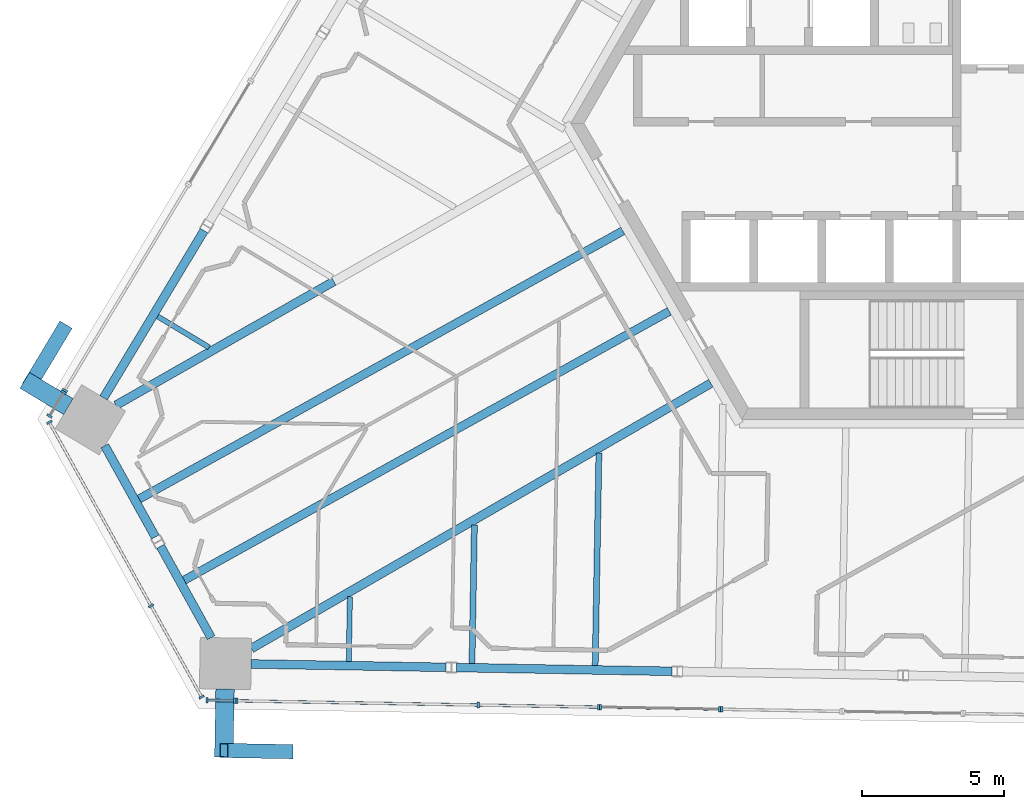
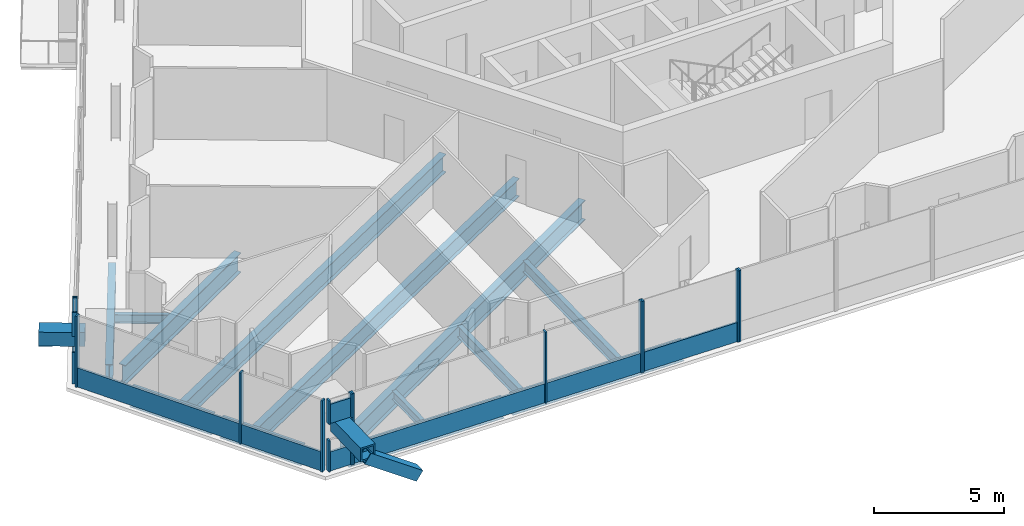
# One storey, part 4 of 24: 29 members, 13 beams, 9 elements without a shape of their own.
"""IFC4 building model written with IfcOpenShell, lengths in metres."""

from ifc_helpers import new_model, si_unit, direction, frame, origin, origin_2d, place, context, subcontext, project, spatial, rectangle, hollow_rectangle, i_section, extrude, source, transform, mapped, material, material_profile, profile_set, type_object, element, aggregate, save


model = new_model("IFC4")

# Units and contexts
model_context = context("Model", 3, precision=1e-05, world=origin(), true_north=direction((0.0, 1.0)))
body_context = subcontext(model_context, "Body", "Model", "MODEL_VIEW")
ifc_project = project(units=[si_unit("LENGTHUNIT", "METRE"), si_unit("AREAUNIT", "SQUARE_METRE"), si_unit("VOLUMEUNIT", "CUBIC_METRE"), si_unit("PLANEANGLEUNIT", "RADIAN"), si_unit("MASSUNIT", "GRAM", prefix="KILO")], contexts=[model_context])

# Site, building, storey
site_placement = place(None, origin())
site = spatial("IfcSite", under=ifc_project, at=site_placement, CompositionType="ELEMENT")
building_placement = place(site_placement, origin())
building = spatial("IfcBuilding", under=site, at=building_placement, Name="Triune Harvest Tower", CompositionType="ELEMENT")
storey_placement = place(building_placement, frame((0.0, 0.0, 212.300048828125)))
storey = spatial("IfcBuildingStorey", under=building, at=storey_placement, Name="L55", CompositionType="ELEMENT", Elevation=212.300048828125)

# Beams
ifc_material_1 = material(Name="Steel ASTM A992 Gr 50", Category="steel")
ifc_material_profile_1 = material_profile(ifc_material_1, i_section(OverallWidth=0.3046875, OverallDepth=0.914306640625, WebThickness=0.0166015625, FlangeThickness=0.02587890625, at=origin_2d()), Name="W36x160")
ifc_profile_set_1 = profile_set([ifc_material_profile_1], Name="Steel ASTM A992 Gr 50")
beam_type_1 = type_object("IfcBeamType", Name="SB-1 Spandrel beam W36x160", PredefinedType="SPANDREL", material=ifc_profile_set_1)
shared_shape_1 = source(origin(), body_context, "Body", "SweptSolid", [
    extrude(i_section(OverallWidth=0.3046875, OverallDepth=0.914306640625, WebThickness=0.0166015625, FlangeThickness=0.02587890625, at=origin_2d()), origin(), (0.0, 0.0, 1.0), 6.841796875),
])
for number, where, z_axis, x_axis, name in (
    (1, (-24.86865234375, -3.77001953125, -0.6171875), (-0.515057137128, -0.857155846678, 0.0), (0.857155846678, -0.515057137128, 0.0), "beam/L55/SB14"),
    (2, (-23.21630859375, -18.97265625, -0.6171875), (0.999847751763, -0.01744916312, 0.0), (0.01744916312, 0.999847751763, 0.0), "beam/L55/SB17"),
):
    element("IfcBeam", number, at=place(storey_placement, frame(where, z_axis=z_axis, x_axis=x_axis)), inside=storey, type_object=beam_type_1, Name=name, PredefinedType="SPANDREL", context=body_context, shape_type="MappedRepresentation", body=[
        mapped(shared_shape_1, transform((0.0, 0.0, 0.0), scale=1.0)),
    ])
shared_shape_2 = source(origin(), body_context, "Body", "SweptSolid", [
    extrude(i_section(OverallWidth=0.3046875, OverallDepth=0.914306640625, WebThickness=0.0166015625, FlangeThickness=0.02587890625, at=origin_2d()), origin(), (0.0, 0.0, 1.0), 7.556396484375),
])
beam_1_placement = place(storey_placement, frame((-16.0048828125, -19.098388671875, -0.6171875), z_axis=(0.99984722371, -0.017479394688, 0.0), x_axis=(0.017479394688, 0.99984722371, 0.0)))
element("IfcBeam", 3, at=beam_1_placement, inside=storey, type_object=beam_type_1, Name="beam/L55/SB18", PredefinedType="SPANDREL", context=body_context, shape_type="MappedRepresentation", body=[
    mapped(shared_shape_2, transform((0.0, 0.0, 0.0), scale=1.0)),
])
shared_shape_3 = source(origin(), body_context, "Body", "SweptSolid", [
    extrude(i_section(OverallWidth=0.3046875, OverallDepth=0.914306640625, WebThickness=0.0166015625, FlangeThickness=0.02587890625, at=origin_2d()), origin(), (0.0, 0.0, 1.0), 3.66357421875),
])
beam_2_placement = place(storey_placement, frame((-26.396240234375, -14.84375, -0.6171875), z_axis=(0.484794006312, -0.874628361903, 0.0), x_axis=(0.874628361903, 0.484794006312, 0.0)))
element("IfcBeam", 4, at=beam_2_placement, inside=storey, type_object=beam_type_1, Name="beam/L55/SB16", PredefinedType="SPANDREL", context=body_context, shape_type="MappedRepresentation", body=[
    mapped(shared_shape_3, transform((0.0, 0.0, 0.0), scale=1.0)),
])
shared_shape_4 = source(origin(), body_context, "Body", "SweptSolid", [
    extrude(i_section(OverallWidth=0.3046875, OverallDepth=0.914306640625, WebThickness=0.0166015625, FlangeThickness=0.02587890625, at=origin_2d()), origin(), (0.0, 0.0, 1.0), 3.663818359375),
])
beam_3_placement = place(storey_placement, frame((-28.352294921875, -11.31494140625, -0.6171875), z_axis=(0.484844980499, -0.874600105697, 0.0), x_axis=(0.874600105697, 0.484844980499, 0.0)))
element("IfcBeam", 5, at=beam_3_placement, inside=storey, type_object=beam_type_1, Name="beam/L55/SB15", PredefinedType="SPANDREL", context=body_context, shape_type="MappedRepresentation", body=[
    mapped(shared_shape_4, transform((0.0, 0.0, 0.0), scale=1.0)),
])
ifc_material_2 = material(Name="Steel ASTM A992 Gr 50", Category="steel")
ifc_material_profile_2 = material_profile(ifc_material_2, i_section(OverallWidth=0.307373046875, OverallDepth=0.922119140625, WebThickness=0.018310546875, FlangeThickness=0.030029296875, at=origin_2d()), Name="W36x182")
ifc_profile_set_2 = profile_set([ifc_material_profile_2], Name="Steel ASTM A992 Gr 50")
beam_type_2 = type_object("IfcBeamType", Name="HG-2 Hip girder W36x182", PredefinedType="BEAM", material=ifc_profile_set_2)
shared_shape_5 = source(origin(), body_context, "Body", "SweptSolid", [
    extrude(i_section(OverallWidth=0.307373046875, OverallDepth=0.922119140625, WebThickness=0.018310546875, FlangeThickness=0.030029296875, at=origin_2d()), origin(), (0.0, 0.0, 1.0), 8.79150390625),
])
beam_4_placement = place(storey_placement, frame((-27.958251953125, -9.8955078125, -0.62109375), z_axis=(0.869275144509, 0.494328557883, 0.0), x_axis=(-0.494328557883, 0.869275144509, 0.0)))
element("IfcBeam", 6, at=beam_4_placement, inside=storey, type_object=beam_type_2, Name="beam/L55/HG5", PredefinedType="BEAM", context=body_context, shape_type="MappedRepresentation", body=[
    mapped(shared_shape_5, transform((0.0, 0.0, 0.0), scale=1.0)),
])
shared_shape_6 = source(origin(), body_context, "Body", "SweptSolid", [
    extrude(i_section(OverallWidth=0.307373046875, OverallDepth=0.922119140625, WebThickness=0.018310546875, FlangeThickness=0.030029296875, at=origin_2d()), origin(), (0.0, 0.0, 1.0), 18.616455078125),
])
beam_5_placement = place(storey_placement, frame((-23.206787109375, -18.431884765625, -0.62109375), z_axis=(0.866022449336, 0.50000511722, 0.0), x_axis=(-0.50000511722, 0.866022449336, 0.0)))
element("IfcBeam", 7, at=beam_5_placement, inside=storey, type_object=beam_type_2, Name="beam/L55/HG7", PredefinedType="BEAM", context=body_context, shape_type="MappedRepresentation", body=[
    mapped(shared_shape_6, transform((0.0, 0.0, 0.0), scale=1.0)),
])
ifc_material_3 = material(Name="Steel ASTM A992 Gr 50", Category="steel")
ifc_material_profile_3 = material_profile(ifc_material_3, i_section(OverallWidth=0.2919921875, OverallDepth=0.8408203125, WebThickness=0.0146484375, FlangeThickness=0.021728515625, at=origin_2d()), Name="W33x130")
ifc_profile_set_3 = profile_set([ifc_material_profile_3], Name="Steel ASTM A992 Gr 50")
beam_type_3 = type_object("IfcBeamType", Name="JT-6 Floor joist W33x130", PredefinedType="JOIST", material=ifc_profile_set_3)
shared_shape_7 = source(origin(), body_context, "Body", "SweptSolid", [
    extrude(i_section(OverallWidth=0.2919921875, OverallDepth=0.8408203125, WebThickness=0.0146484375, FlangeThickness=0.021728515625, at=origin_2d()), origin(), (0.0, 0.0, 1.0), 19.403564453125),
])
beam_6_placement = place(storey_placement, frame((-27.142822265625, -13.1826171875, -0.58056640625), z_axis=(0.874615069694, 0.484817986325, 0.0), x_axis=(-0.484817986325, 0.874615069694, 0.0)))
element("IfcBeam", 8, at=beam_6_placement, inside=storey, type_object=beam_type_3, Name="beam/L55/JT23", PredefinedType="JOIST", context=body_context, shape_type="MappedRepresentation", body=[
    mapped(shared_shape_7, transform((0.0, 0.0, 0.0), scale=1.0)),
])
shared_shape_8 = source(origin(), body_context, "Body", "SweptSolid", [
    extrude(i_section(OverallWidth=0.2919921875, OverallDepth=0.8408203125, WebThickness=0.0146484375, FlangeThickness=0.021728515625, at=origin_2d()), origin(), (0.0, 0.0, 1.0), 19.460205078125),
])
beam_7_placement = place(storey_placement, frame((-25.562744140625, -16.03271484375, -0.58056640625), z_axis=(0.874617874633, 0.484812926161, 0.0), x_axis=(-0.484812926161, 0.874617874633, 0.0)))
element("IfcBeam", 9, at=beam_7_placement, inside=storey, type_object=beam_type_3, Name="beam/L55/JT24", PredefinedType="JOIST", context=body_context, shape_type="MappedRepresentation", body=[
    mapped(shared_shape_8, transform((0.0, 0.0, 0.0), scale=1.0)),
])
ifc_material_4 = material(Name="Steel ASTM A992 Gr 50", Category="steel")
ifc_material_profile_4 = material_profile(ifc_material_4, i_section(OverallWidth=0.2099609375, OverallDepth=0.535888671875, WebThickness=0.010986328125, FlangeThickness=0.017333984375, at=origin_2d()), Name="W21x68")
ifc_profile_set_4 = profile_set([ifc_material_profile_4], Name="Steel ASTM A992 Gr 50")
beam_type_4 = type_object("IfcBeamType", Name="JT-2 Floor joist W21x68", PredefinedType="JOIST", material=ifc_profile_set_4)
shared_shape_9 = source(origin(), body_context, "Body", "SweptSolid", [
    extrude(i_section(OverallWidth=0.2099609375, OverallDepth=0.535888671875, WebThickness=0.010986328125, FlangeThickness=0.017333984375, at=origin_2d()), origin(), (0.0, 0.0, 1.0), 4.864501953125),
])
beam_8_placement = place(storey_placement, frame((-15.467041015625, -18.95556640625, -0.427978515625), z_axis=(0.017465461228, 0.999847467199, 0.0), x_axis=(-0.999847467199, 0.017465461228, 0.0)))
element("IfcBeam", 10, at=beam_8_placement, inside=storey, type_object=beam_type_4, Name="beam/L55/JT26", PredefinedType="JOIST", context=body_context, shape_type="MappedRepresentation", body=[
    mapped(shared_shape_9, transform((0.0, 0.0, 0.0), scale=1.0)),
])
ifc_material_5 = material(Name="Steel ASTM A992 Gr 50", Category="steel")
ifc_material_profile_5 = material_profile(ifc_material_5, i_section(OverallWidth=0.180908203125, OverallDepth=0.41650390625, WebThickness=0.010986328125, FlangeThickness=0.01806640625, at=origin_2d()), Name="W16x57")
ifc_profile_set_5 = profile_set([ifc_material_profile_5], Name="Steel ASTM A992 Gr 50")
beam_type_5 = type_object("IfcBeamType", Name="JT-1 Floor joist W16x57", PredefinedType="JOIST", material=ifc_profile_set_5)
shared_shape_10 = source(origin(), body_context, "Body", "SweptSolid", [
    extrude(i_section(OverallWidth=0.180908203125, OverallDepth=0.41650390625, WebThickness=0.010986328125, FlangeThickness=0.01806640625, at=origin_2d()), origin(), (0.0, 0.0, 1.0), 2.104736328125),
])
beam_9_placement = place(storey_placement, frame((-26.498291015625, -6.7783203125, -0.368408203125), z_axis=(0.857185733632, -0.51500739612, 0.0), x_axis=(0.51500739612, 0.857185733632, 0.0)))
element("IfcBeam", 11, at=beam_9_placement, inside=storey, type_object=beam_type_5, Name="beam/L55/JT22", PredefinedType="JOIST", context=body_context, shape_type="MappedRepresentation", body=[
    mapped(shared_shape_10, transform((0.0, 0.0, 0.0), scale=1.0)),
])
shared_shape_11 = source(origin(), body_context, "Body", "SweptSolid", [
    extrude(i_section(OverallWidth=0.180908203125, OverallDepth=0.41650390625, WebThickness=0.010986328125, FlangeThickness=0.01806640625, at=origin_2d()), origin(), (0.0, 0.0, 1.0), 2.26611328125),
])
beam_10_placement = place(storey_placement, frame((-19.790283203125, -18.8798828125, -0.368408203125), z_axis=(0.017452357155, 0.999847696017, 0.0), x_axis=(-0.999847696017, 0.017452357155, 0.0)))
element("IfcBeam", 12, at=beam_10_placement, inside=storey, type_object=beam_type_5, Name="beam/L55/JT25", PredefinedType="JOIST", context=body_context, shape_type="MappedRepresentation", body=[
    mapped(shared_shape_11, transform((0.0, 0.0, 0.0), scale=1.0)),
])
shared_shape_12 = source(origin(), body_context, "Body", "SweptSolid", [
    extrude(i_section(OverallWidth=0.2099609375, OverallDepth=0.535888671875, WebThickness=0.010986328125, FlangeThickness=0.017333984375, at=origin_2d()), origin(), (0.0, 0.0, 1.0), 7.462890625),
])
beam_11_placement = place(storey_placement, frame((-11.143798828125, -19.031005859375, -0.427978515625), z_axis=(0.017469440512, 0.99984739768, 0.0), x_axis=(-0.99984739768, 0.017469440512, 0.0)))
element("IfcBeam", 13, at=beam_11_placement, inside=storey, type_object=beam_type_4, Name="beam/L55/JT27", PredefinedType="JOIST", context=body_context, shape_type="MappedRepresentation", body=[
    mapped(shared_shape_12, transform((0.0, 0.0, 0.0), scale=1.0)),
])

# Members
ifc_material_6 = material(Name="Steel ASTM A572 Gr 50", Category="steel")
ifc_material_profile_6 = material_profile(ifc_material_6, hollow_rectangle(XDim=0.64990234375, YDim=0.64990234375, WallThickness=0.070068359375, at=origin_2d()), Name="Box 650x650x70")
ifc_profile_set_6 = profile_set([ifc_material_profile_6], Name="Steel ASTM A572 Gr 50")
member_type_1 = type_object("IfcMemberType", Name="BS-1 Brace stub Box 650x650x70", PredefinedType="STRUT", material=ifc_profile_set_6)
shared_shape_13 = source(origin(), body_context, "Body", "SweptSolid", [
    extrude(hollow_rectangle(XDim=0.64990234375, YDim=0.64990234375, WallThickness=0.070068359375, at=origin_2d()), origin(), (0.0, 0.0, 1.0), 1.787109375),
])
member_1_placement = place(storey_placement, frame((-29.62744140625, -9.942626953125, 1.849853515625), z_axis=(-0.857155208894, 0.515058198523, 0.0), x_axis=(-0.515058198523, -0.857155208894, 0.0)))
element("IfcMember", 14, at=member_1_placement, inside=storey, type_object=member_type_1, Name="brace/B5-F3/stub2", PredefinedType="STRUT", context=body_context, shape_type="MappedRepresentation", body=[
    mapped(shared_shape_13, transform((0.0, 0.0, 0.0), scale=1.0)),
])
ifc_material_7 = material(Name="Steel ASTM A572 Gr 50", Category="steel")
ifc_material_profile_7 = material_profile(ifc_material_7, hollow_rectangle(XDim=0.5, YDim=0.5, WallThickness=0.030029296875, at=origin_2d()), Name="Box 500x500x30")
ifc_profile_set_7 = profile_set([ifc_material_profile_7], Name="Steel ASTM A572 Gr 50")
member_type_2 = type_object("IfcMemberType", Name="BR-3 Brace Box 500x500x30", PredefinedType="BRACE", material=ifc_profile_set_7)
shared_shape_14 = source(origin(), body_context, "Body", "SweptSolid", [
    extrude(hollow_rectangle(XDim=0.5, YDim=0.5, WallThickness=0.030029296875, at=origin_2d()), origin(), (0.0, 0.0, 1.0), 2.77734375),
])
member_2_placement = place(storey_placement, frame((-29.78369140625, -7.189208984375, 0.0), z_axis=(-0.422823649157, -0.703592617018, 0.571119594298), x_axis=(0.857133656581, -0.515094063988, 0.0)))
element("IfcMember", 15, at=member_2_placement, inside=storey, type_object=member_type_2, Name="brace/B5-F3/d1/10", PredefinedType="BRACE", context=body_context, shape_type="MappedRepresentation", body=[
    mapped(shared_shape_14, transform((0.0, 0.0, 0.0), scale=1.0)),
])
shared_shape_15 = source(origin(), body_context, "Body", "SweptSolid", [
    extrude(hollow_rectangle(XDim=0.64990234375, YDim=0.64990234375, WallThickness=0.070068359375, at=origin_2d()), origin(), (0.0, 0.0, 1.0), 2.386962890625),
])
member_3_placement = place(storey_placement, frame((-24.1318359375, -19.856689453125, 1.849853515625), z_axis=(-0.017489141378, -0.999847053271, 0.0), x_axis=(0.999847053271, -0.017489141378, 0.0)))
element("IfcMember", 16, at=member_3_placement, inside=storey, type_object=member_type_1, Name="brace/B5-F5/stub4", PredefinedType="STRUT", context=body_context, shape_type="MappedRepresentation", body=[
    mapped(shared_shape_15, transform((0.0, 0.0, 0.0), scale=1.0)),
])
shared_shape_16 = source(origin(), body_context, "Body", "SweptSolid", [
    extrude(hollow_rectangle(XDim=0.5, YDim=0.5, WallThickness=0.030029296875, at=origin_2d()), origin(), (0.0, 0.0, 1.0), 2.777099609375),
])
member_4_placement = place(storey_placement, frame((-21.89013671875, -22.04833984375, 0.0), z_axis=(-0.820722360093, 0.014329235721, 0.57114751216), x_axis=(-0.017456636919, -0.999847621304, 0.0)))
element("IfcMember", 17, at=member_4_placement, inside=storey, type_object=member_type_2, Name="brace/B5-F5/d2/10", PredefinedType="BRACE", context=body_context, shape_type="MappedRepresentation", body=[
    mapped(shared_shape_16, transform((0.0, 0.0, 0.0), scale=1.0)),
])

# Curtain wall, members
ifc_material_8 = material(Name="Aluminium bronze anodised", Category="aluminium")
curtain_wall_type_1 = type_object("IfcCurtainWallType", Name="CW-6 Balcony window wall", PredefinedType="NOTDEFINED", material=ifc_material_8)
curtain_wall_1_placement = place(storey_placement, origin())
curtain_wall_1 = element("IfcCurtainWall", 18, at=curtain_wall_1_placement, inside=storey, type_object=curtain_wall_type_1, Name="CW-6 B5-F3 L55 run 202")
ifc_material_9 = material(Name="Aluminium bronze anodised", Category="aluminium")
ifc_material_profile_8 = material_profile(ifc_material_9, rectangle(XDim=0.199951171875, YDim=0.074951171875, at=origin_2d()), Name="MU-6 mullion 75 x 200")
ifc_profile_set_8 = profile_set([ifc_material_profile_8], Name="Aluminium bronze anodised")
member_type_3 = type_object("IfcMemberType", Name="MU-6 mullion 75 x 200", PredefinedType="MULLION", material=ifc_profile_set_8)
shared_shape_17 = source(origin(), body_context, "Body", "SweptSolid", [
    extrude(rectangle(XDim=0.199951171875, YDim=0.074951171875, at=origin_2d()), origin(), (0.0, 0.0, 1.0), 1.114990234375),
])
member_5_placement = place(storey_placement, frame((-29.793212890625, -9.437744140625, 2.23486328125), z_axis=(0.0, 0.0, 1.0), x_axis=(0.857206165529, -0.514973387448, 0.0)))
member_5 = element("IfcMember", 19, at=member_5_placement, type_object=member_type_3, Name="CW-6 mullion B5-F3 202.1", PredefinedType="MULLION", context=body_context, shape_type="MappedRepresentation", body=[
    mapped(shared_shape_17, transform((0.0, 0.0, 0.0), scale=1.0)),
])
member_6_placement = place(storey_placement, frame((-30.293701171875, -10.2705078125, 2.23486328125), z_axis=(0.0, 0.0, 1.0), x_axis=(0.857206165529, -0.514973387448, 0.0)))
member_6 = element("IfcMember", 20, at=member_6_placement, type_object=member_type_3, Name="CW-6 mullion B5-F3 202.2", PredefinedType="MULLION", context=body_context, shape_type="MappedRepresentation", body=[
    mapped(shared_shape_17, transform((0.0, 0.0, 0.0), scale=1.0)),
])
aggregate(curtain_wall_1, [member_5, member_6])

ifc_material_10 = material(Name="Aluminium bronze anodised", Category="aluminium")
curtain_wall_type_2 = type_object("IfcCurtainWallType", Name="CW-1 Tower stick curtain wall", PredefinedType="NOTDEFINED", material=ifc_material_10)
curtain_wall_2_placement = place(storey_placement, origin())
curtain_wall_2 = element("IfcCurtainWall", 21, at=curtain_wall_2_placement, inside=storey, type_object=curtain_wall_type_2, Name="CW-1 B5-F5 L55 run 101")
ifc_material_11 = material(Name="Aluminium bronze anodised", Category="aluminium")
ifc_material_profile_9 = material_profile(ifc_material_11, rectangle(XDim=0.199951171875, YDim=0.074951171875, at=origin_2d()), Name="MU-1 mullion 75 x 200")
ifc_profile_set_9 = profile_set([ifc_material_profile_9], Name="Aluminium bronze anodised")
member_type_4 = type_object("IfcMemberType", Name="MU-1 mullion 75 x 200", PredefinedType="MULLION", material=ifc_profile_set_9)
shared_shape_18 = source(origin(), body_context, "Body", "SweptSolid", [
    extrude(rectangle(XDim=0.199951171875, YDim=0.074951171875, at=origin_2d()), origin(), (0.0, 0.0, 1.0), 1.114990234375),
])
member_7_placement = place(storey_placement, frame((-24.76318359375, -20.248046875, 2.23486328125), z_axis=(0.0, 0.0, 1.0), x_axis=(0.017387013935, 0.999848834448, 0.0)))
member_7 = element("IfcMember", 22, at=member_7_placement, type_object=member_type_4, Name="CW-1 mullion B5-F5 101.1", PredefinedType="MULLION", context=body_context, shape_type="MappedRepresentation", body=[
    mapped(shared_shape_18, transform((0.0, 0.0, 0.0), scale=1.0)),
])
member_8_placement = place(storey_placement, frame((-23.79150390625, -20.264892578125, 2.23486328125), z_axis=(0.0, 0.0, 1.0), x_axis=(0.017387013935, 0.999848834448, 0.0)))
member_8 = element("IfcMember", 23, at=member_8_placement, type_object=member_type_4, Name="CW-1 mullion B5-F5 101.2", PredefinedType="MULLION", context=body_context, shape_type="MappedRepresentation", body=[
    mapped(shared_shape_18, transform((0.0, 0.0, 0.0), scale=1.0)),
])

ifc_material_12 = material(Name="Aluminium bronze anodised", Category="aluminium")
curtain_wall_type_3 = type_object("IfcCurtainWallType", Name="CW-7 Tower stick curtain wall with insulated spandrel infill", PredefinedType="NOTDEFINED", material=ifc_material_12)
curtain_wall_3_placement = place(storey_placement, origin())
curtain_wall_3 = element("IfcCurtainWall", 24, at=curtain_wall_3_placement, inside=storey, type_object=curtain_wall_type_3, Name="CW-7 B5-F5 L55 run 201")
ifc_material_13 = material(Name="Aluminium bronze anodised", Category="aluminium")
ifc_material_profile_10 = material_profile(ifc_material_13, rectangle(XDim=0.090087890625, YDim=0.89990234375, at=origin_2d()), Name="TR-1 transom 90 x 900")
ifc_profile_set_10 = profile_set([ifc_material_profile_10], Name="Aluminium bronze anodised")
member_type_5 = type_object("IfcMemberType", Name="TR-1 transom 90 x 900", PredefinedType="USERDEFINED", material=ifc_profile_set_10)
shared_shape_19 = source(origin(), body_context, "Body", "SweptSolid", [
    extrude(rectangle(XDim=0.090087890625, YDim=0.89990234375, at=origin_2d()), origin(), (0.0, 0.0, 1.0), 8.395263671875),
])
member_9_placement = place(storey_placement, frame((-23.678955078125, -20.266845703125, 0.449951171875), z_axis=(0.999847766212, -0.017448335167, 0.0), x_axis=(0.017448335167, 0.999847766212, 0.0)))
member_9 = element("IfcMember", 25, at=member_9_placement, type_object=member_type_5, Name="CW-7 transom B5-F5 201.1", ObjectType="TRANSOM", PredefinedType="USERDEFINED", context=body_context, shape_type="MappedRepresentation", body=[
    mapped(shared_shape_19, transform((0.0, 0.0, 0.0), scale=1.0)),
])
shared_shape_20 = source(origin(), body_context, "Body", "SweptSolid", [
    extrude(rectangle(XDim=0.090087890625, YDim=0.89990234375, at=origin_2d()), origin(), (0.0, 0.0, 1.0), 4.1416015625),
])
member_10_placement = place(storey_placement, frame((-15.2099609375, -20.414794921875, 0.449951171875), z_axis=(0.999847752094, -0.017449144191, 0.0), x_axis=(0.017449144191, 0.999847752094, 0.0)))
member_10 = element("IfcMember", 26, at=member_10_placement, type_object=member_type_5, Name="CW-7 transom B5-F5 201.2", ObjectType="TRANSOM", PredefinedType="USERDEFINED", context=body_context, shape_type="MappedRepresentation", body=[
    mapped(shared_shape_20, transform((0.0, 0.0, 0.0), scale=1.0)),
])

# Curtain wall, member
curtain_wall_4_placement = place(storey_placement, origin())
curtain_wall_4 = element("IfcCurtainWall", 27, at=curtain_wall_4_placement, inside=storey, type_object=curtain_wall_type_3, Name="CW-7 B5-F5 L55 run 1")
shared_shape_21 = source(origin(), body_context, "Body", "SweptSolid", [
    extrude(rectangle(XDim=0.090087890625, YDim=0.89990234375, at=origin_2d()), origin(), (0.0, 0.0, 1.0), 0.896728515625),
])
member_11_placement = place(storey_placement, frame((-24.7255859375, -20.248779296875, 0.449951171875), z_axis=(0.999848146196, -0.01742654721, 0.0), x_axis=(0.01742654721, 0.999848146196, 0.0)))
member_11 = element("IfcMember", 28, at=member_11_placement, type_object=member_type_5, Name="CW-7 transom B5-F5 1.1", ObjectType="TRANSOM", PredefinedType="USERDEFINED", context=body_context, shape_type="MappedRepresentation", body=[
    mapped(shared_shape_21, transform((0.0, 0.0, 0.0), scale=1.0)),
])

# Member
member_12_placement = place(storey_placement, frame((-24.7255859375, -20.248779296875, 2.68505859375), z_axis=(0.999848146196, -0.01742654721, 0.0), x_axis=(0.01742654721, 0.999848146196, 0.0)))
member_12 = element("IfcMember", 29, at=member_12_placement, type_object=member_type_5, Name="CW-1 transom B5-F5 101.1", ObjectType="TRANSOM", PredefinedType="USERDEFINED", context=body_context, shape_type="MappedRepresentation", body=[
    mapped(shared_shape_21, transform((0.0, 0.0, 0.0), scale=1.0)),
])

aggregate(curtain_wall_2, [member_7, member_8, member_12])

# Curtain wall, members
curtain_wall_5_placement = place(storey_placement, origin())
curtain_wall_5 = element("IfcCurtainWall", 30, at=curtain_wall_5_placement, inside=storey, type_object=curtain_wall_type_3, Name="CW-7 B5-F4 L55 run 1")
shared_shape_22 = source(origin(), body_context, "Body", "SweptSolid", [
    extrude(rectangle(XDim=0.090087890625, YDim=0.89990234375, at=origin_2d()), origin(), (0.0, 0.0, 1.0), 7.28759765625),
])
member_13_placement = place(storey_placement, frame((-30.279296875, -10.524169921875, 0.449951171875), z_axis=(0.484786537831, -0.874632501533, 0.0), x_axis=(0.874632501533, 0.484786537831, 0.0)))
member_13 = element("IfcMember", 31, at=member_13_placement, type_object=member_type_5, Name="CW-7 transom B5-F4 1.1", ObjectType="TRANSOM", PredefinedType="USERDEFINED", context=body_context, shape_type="MappedRepresentation", body=[
    mapped(shared_shape_22, transform((0.0, 0.0, 0.0), scale=1.0)),
])
shared_shape_23 = source(origin(), body_context, "Body", "SweptSolid", [
    extrude(rectangle(XDim=0.090087890625, YDim=0.89990234375, at=origin_2d()), origin(), (0.0, 0.0, 1.0), 3.587646484375),
])
member_14_placement = place(storey_placement, frame((-26.7099609375, -16.963623046875, 0.449951171875), z_axis=(0.484781810323, -0.874635121854, 0.0), x_axis=(0.874635121854, 0.484781810323, 0.0)))
member_14 = element("IfcMember", 32, at=member_14_placement, type_object=member_type_5, Name="CW-7 transom B5-F4 1.2", ObjectType="TRANSOM", PredefinedType="USERDEFINED", context=body_context, shape_type="MappedRepresentation", body=[
    mapped(shared_shape_23, transform((0.0, 0.0, 0.0), scale=1.0)),
])

# Member
shared_shape_24 = source(origin(), body_context, "Body", "SweptSolid", [
    extrude(rectangle(XDim=0.199951171875, YDim=0.074951171875, at=origin_2d()), origin(), (0.0, 0.0, 1.0), 1.46484375),
])
member_15_placement = place(storey_placement, frame((-24.76318359375, -20.248046875, 0.0), z_axis=(0.0, 0.0, 1.0), x_axis=(0.017387013935, 0.999848834448, 0.0)))
member_15 = element("IfcMember", 33, at=member_15_placement, type_object=member_type_4, Name="CW-7 mullion B5-F5 1.1", PredefinedType="MULLION", context=body_context, shape_type="MappedRepresentation", body=[
    mapped(shared_shape_24, transform((0.0, 0.0, 0.0), scale=1.0)),
])

member_16_placement = place(storey_placement, frame((-23.79150390625, -20.264892578125, 0.0), z_axis=(0.0, 0.0, 1.0), x_axis=(0.017387013935, 0.999848834448, 0.0)))
member_16 = element("IfcMember", 34, at=member_16_placement, type_object=member_type_4, Name="CW-7 mullion B5-F5 1.2", PredefinedType="MULLION", context=body_context, shape_type="MappedRepresentation", body=[
    mapped(shared_shape_24, transform((0.0, 0.0, 0.0), scale=1.0)),
])

aggregate(curtain_wall_4, [member_15, member_16, member_11])

shared_shape_25 = source(origin(), body_context, "Body", "SweptSolid", [
    extrude(rectangle(XDim=0.199951171875, YDim=0.074951171875, at=origin_2d()), origin(), (0.0, 0.0, 1.0), 3.349853515625),
])
member_17_placement = place(storey_placement, frame((-30.297607421875, -10.4912109375, 0.0), z_axis=(0.0, 0.0, 1.0), x_axis=(0.874623958582, 0.484801950362, 0.0)))
member_17 = element("IfcMember", 35, at=member_17_placement, type_object=member_type_4, Name="CW-7 mullion B5-F4 1.1", PredefinedType="MULLION", context=body_context, shape_type="MappedRepresentation", body=[
    mapped(shared_shape_25, transform((0.0, 0.0, 0.0), scale=1.0)),
])

member_18_placement = place(storey_placement, frame((-26.72802734375, -16.930908203125, 0.0), z_axis=(0.0, 0.0, 1.0), x_axis=(0.874623958582, 0.484801950362, 0.0)))
member_18 = element("IfcMember", 36, at=member_18_placement, type_object=member_type_4, Name="CW-7 mullion B5-F4 1.3", PredefinedType="MULLION", context=body_context, shape_type="MappedRepresentation", body=[
    mapped(shared_shape_25, transform((0.0, 0.0, 0.0), scale=1.0)),
])

member_19_placement = place(storey_placement, frame((-24.952392578125, -20.13427734375, 0.0), z_axis=(0.0, 0.0, 1.0), x_axis=(0.874623958582, 0.484801950362, 0.0)))
member_19 = element("IfcMember", 37, at=member_19_placement, type_object=member_type_4, Name="CW-7 mullion B5-F4 1.4", PredefinedType="MULLION", context=body_context, shape_type="MappedRepresentation", body=[
    mapped(shared_shape_25, transform((0.0, 0.0, 0.0), scale=1.0)),
])

aggregate(curtain_wall_5, [member_17, member_18, member_19, member_13, member_14])

member_20_placement = place(storey_placement, frame((-23.716552734375, -20.266357421875, 0.0), z_axis=(0.0, 0.0, 1.0), x_axis=(0.017450457236, 0.999847729178, 0.0)))
member_20 = element("IfcMember", 38, at=member_20_placement, type_object=member_type_4, Name="CW-7 mullion B5-F5 201.1", PredefinedType="MULLION", context=body_context, shape_type="MappedRepresentation", body=[
    mapped(shared_shape_25, transform((0.0, 0.0, 0.0), scale=1.0)),
])

member_21_placement = place(storey_placement, frame((-15.247314453125, -20.4140625, 0.0), z_axis=(0.0, 0.0, 1.0), x_axis=(0.017450457236, 0.999847729178, 0.0)))
member_21 = element("IfcMember", 39, at=member_21_placement, type_object=member_type_4, Name="CW-7 mullion B5-F5 201.3", PredefinedType="MULLION", context=body_context, shape_type="MappedRepresentation", body=[
    mapped(shared_shape_25, transform((0.0, 0.0, 0.0), scale=1.0)),
])

member_22_placement = place(storey_placement, frame((-11.031494140625, -20.487548828125, 0.0), z_axis=(0.0, 0.0, 1.0), x_axis=(0.017450457236, 0.999847729178, 0.0)))
member_22 = element("IfcMember", 40, at=member_22_placement, type_object=member_type_4, Name="CW-7 mullion B5-F5 201.4", PredefinedType="MULLION", context=body_context, shape_type="MappedRepresentation", body=[
    mapped(shared_shape_25, transform((0.0, 0.0, 0.0), scale=1.0)),
])

aggregate(curtain_wall_3, [member_20, member_21, member_22, member_9, member_10])

# Curtain wall, members
curtain_wall_6_placement = place(storey_placement, origin())
curtain_wall_6 = element("IfcCurtainWall", 41, at=curtain_wall_6_placement, inside=storey, type_object=curtain_wall_type_2, Name="CW-1 B5-F5 L55 run 1201")
member_23_placement = place(storey_placement, frame((-10.95654296875, -20.489013671875, 0.0), z_axis=(0.0, 0.0, 1.0), x_axis=(0.01746612417, 0.999847455618, 0.0)))
member_23 = element("IfcMember", 42, at=member_23_placement, type_object=member_type_4, Name="CW-1 mullion B5-F5 1201.1", PredefinedType="MULLION", context=body_context, shape_type="MappedRepresentation", body=[
    mapped(shared_shape_25, transform((0.0, 0.0, 0.0), scale=1.0)),
])
member_24_placement = place(storey_placement, frame((-6.7783203125, -20.56201171875, 0.0), z_axis=(0.0, 0.0, 1.0), x_axis=(0.01746612417, 0.999847455618, 0.0)))
member_24 = element("IfcMember", 43, at=member_24_placement, type_object=member_type_4, Name="CW-1 mullion B5-F5 1201.2", PredefinedType="MULLION", context=body_context, shape_type="MappedRepresentation", body=[
    mapped(shared_shape_25, transform((0.0, 0.0, 0.0), scale=1.0)),
])

# Curtain wall, member
curtain_wall_7_placement = place(storey_placement, origin())
curtain_wall_7 = element("IfcCurtainWall", 44, at=curtain_wall_7_placement, inside=storey, type_object=curtain_wall_type_3, Name="CW-7 B5-F5 L55 run 2201")
member_25_placement = place(storey_placement, frame((-6.703369140625, -20.563232421875, 0.0), z_axis=(0.0, 0.0, 1.0), x_axis=(0.017442623768, 0.999847865866, 0.0)))
member_25 = element("IfcMember", 45, at=member_25_placement, type_object=member_type_4, Name="CW-7 mullion B5-F5 2201.1", PredefinedType="MULLION", context=body_context, shape_type="MappedRepresentation", body=[
    mapped(shared_shape_25, transform((0.0, 0.0, 0.0), scale=1.0)),
])
aggregate(curtain_wall_7, [member_25])

# Curtain wall, members
ifc_material_14 = material(Name="Aluminium bronze anodised", Category="aluminium")
curtain_wall_type_4 = type_object("IfcCurtainWallType", Name="CW-10 Balcony window wall with insulated spandrel infill", PredefinedType="NOTDEFINED", material=ifc_material_14)
curtain_wall_8_placement = place(storey_placement, origin())
curtain_wall_8 = element("IfcCurtainWall", 46, at=curtain_wall_8_placement, inside=storey, type_object=curtain_wall_type_4, Name="CW-10 B5-F3 L55 run 102")
shared_shape_26 = source(origin(), body_context, "Body", "SweptSolid", [
    extrude(rectangle(XDim=0.199951171875, YDim=0.074951171875, at=origin_2d()), origin(), (0.0, 0.0, 1.0), 1.46484375),
])
member_26_placement = place(storey_placement, frame((-29.793212890625, -9.437744140625, 0.0), z_axis=(0.0, 0.0, 1.0), x_axis=(0.857206165529, -0.514973387448, 0.0)))
member_26 = element("IfcMember", 47, at=member_26_placement, type_object=member_type_3, Name="CW-10 mullion B5-F3 102.1", PredefinedType="MULLION", context=body_context, shape_type="MappedRepresentation", body=[
    mapped(shared_shape_26, transform((0.0, 0.0, 0.0), scale=1.0)),
])
member_27_placement = place(storey_placement, frame((-30.293701171875, -10.2705078125, 0.0), z_axis=(0.0, 0.0, 1.0), x_axis=(0.857206165529, -0.514973387448, 0.0)))
member_27 = element("IfcMember", 48, at=member_27_placement, type_object=member_type_3, Name="CW-10 mullion B5-F3 102.2", PredefinedType="MULLION", context=body_context, shape_type="MappedRepresentation", body=[
    mapped(shared_shape_26, transform((0.0, 0.0, 0.0), scale=1.0)),
])
aggregate(curtain_wall_8, [member_26, member_27])

# Curtain wall, member
curtain_wall_9_placement = place(storey_placement, origin())
curtain_wall_9 = element("IfcCurtainWall", 49, at=curtain_wall_9_placement, inside=storey, type_object=curtain_wall_type_4, Name="CW-10 B5-F3 L55 run 3002")
shared_shape_27 = source(origin(), body_context, "Body", "SweptSolid", [
    extrude(rectangle(XDim=0.199951171875, YDim=0.074951171875, at=origin_2d()), origin(), (0.0, 0.0, 1.0), 3.349853515625),
])
member_28_placement = place(storey_placement, frame((-29.754638671875, -9.373291015625, 0.0), z_axis=(0.0, 0.0, 1.0), x_axis=(0.857168644445, -0.515035838539, 0.0)))
member_28 = element("IfcMember", 50, at=member_28_placement, type_object=member_type_3, Name="CW-10 mullion B5-F3 3002.3", PredefinedType="MULLION", context=body_context, shape_type="MappedRepresentation", body=[
    mapped(shared_shape_27, transform((0.0, 0.0, 0.0), scale=1.0)),
])
aggregate(curtain_wall_9, [member_28])

# Member
shared_shape_28 = source(origin(), body_context, "Body", "SweptSolid", [
    extrude(rectangle(XDim=0.090087890625, YDim=0.89990234375, at=origin_2d()), origin(), (0.0, 0.0, 1.0), 4.104248046875),
])
member_29_placement = place(storey_placement, frame((-10.919189453125, -20.489501953125, 0.449951171875), z_axis=(0.999847055824, -0.017488995384, 0.0), x_axis=(0.017488995384, 0.999847055824, 0.0)))
member_29 = element("IfcMember", 51, at=member_29_placement, type_object=member_type_5, Name="CW-1 transom B5-F5 1201.1", ObjectType="TRANSOM", PredefinedType="USERDEFINED", context=body_context, shape_type="MappedRepresentation", body=[
    mapped(shared_shape_28, transform((0.0, 0.0, 0.0), scale=1.0)),
])

aggregate(curtain_wall_6, [member_23, member_24, member_29])

save(model, "model.ifc")
